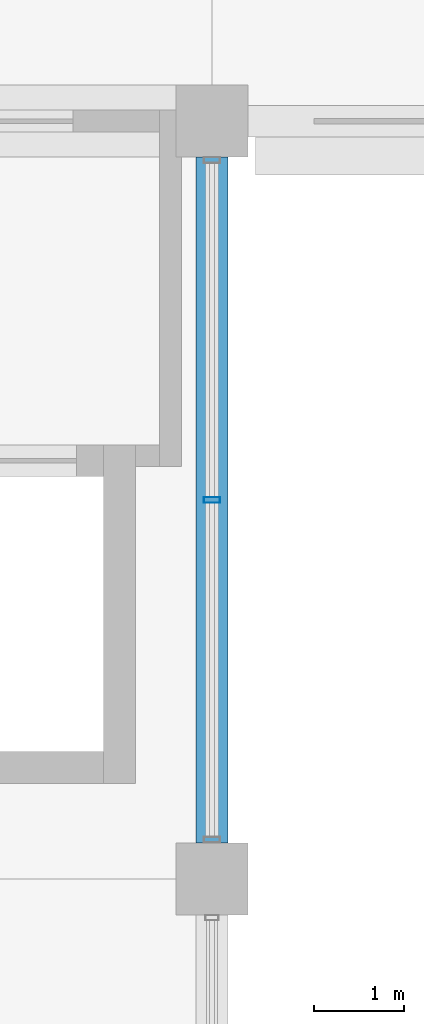
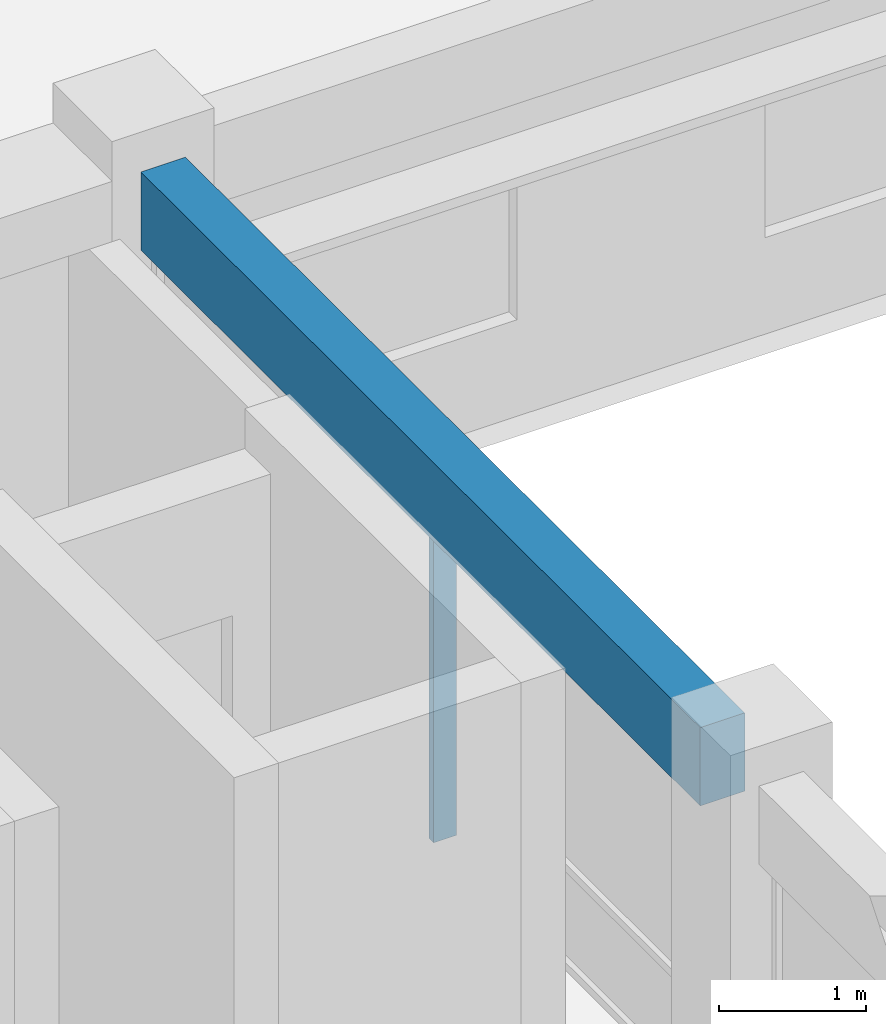
# One storey, part 3 of 50: 1 beam, 1 member, 1 element without a shape of its own.
"""IFC4 building model written with IfcOpenShell, lengths in metres."""

import ifcopenshell
import ifcopenshell.guid

model = None  # the IFC model being written
_history = None  # IfcOwnerHistory: only IFC2X3 demands one
_inside = {}  # id of a spatial element -> (the spatial element, [elements in it])
_under = {}  # id of a project, library or spatial element -> (it, [spatial elements below it])
_declared = {}  # id of a project -> (the project, [libraries it declares])
_typed = {}  # id of a type object -> (the type object, [elements of that type])
_made_of = {}  # id of a material, layer set ... -> (it, [elements and type objects made of it])


def new_model(schema):
    """Start an empty IFC model of exactly this schema.

    Asked for "IFC4X3", IfcOpenShell would pick the latest addendum, in which some entities
    have other attributes; the version numbers below select the first issue.
    IFC2X3 requires an IfcOwnerHistory on every rooted entity: one is made here for all.
    """
    global model, _history
    if schema == "IFC4X3":
        model = ifcopenshell.file(schema_version=(4, 3, 0, 0))
    else:
        model = ifcopenshell.file(schema=schema)
    _inside.clear()
    _under.clear()
    _declared.clear()
    _typed.clear()
    _made_of.clear()
    _history = None
    if model.schema == "IFC2X3":
        org = make("IfcOrganization", Name="unknown")
        user = make(
            "IfcPersonAndOrganization",
            ThePerson=make("IfcPerson", FamilyName="unknown"),
            TheOrganization=org,
        )
        app = make(
            "IfcApplication",
            ApplicationDeveloper=org,
            Version="unknown",
            ApplicationFullName="unknown",
            ApplicationIdentifier="unknown",
        )
        _history = make(
            "IfcOwnerHistory",
            OwningUser=user,
            OwningApplication=app,
            ChangeAction="ADDED",
            CreationDate=0,
        )
    return model


def make(cls, **values):
    """One entity of the class cls with the attributes given. An attribute that is None is left unset."""
    return model.create_entity(
        cls, **{name: value for name, value in values.items() if value is not None}
    )


def rooted(cls, **values):
    """An entity with a GlobalId (a new one), such as an element, a storey or a relation."""
    return make(cls, GlobalId=ifcopenshell.guid.new(), OwnerHistory=_history, **values)


def si_unit(unit_type, name, prefix=None):
    """IfcSIUnit, for example si_unit("LENGTHUNIT", "METRE", prefix="MILLI")."""
    return make("IfcSIUnit", UnitType=unit_type, Prefix=prefix, Name=name)


def assignment(units):
    """IfcUnitAssignment: the units of a project."""
    return None if units is None else make("IfcUnitAssignment", Units=units)


def point(xyz):
    """IfcCartesianPoint."""
    return None if xyz is None else make("IfcCartesianPoint", Coordinates=xyz)


def direction(xyz):
    """IfcDirection."""
    return None if xyz is None else make("IfcDirection", DirectionRatios=xyz)


def frame(location, z_axis=None, x_axis=None):
    """IfcAxis2Placement3D, a coordinate frame: its origin and axes. An axis left out is left unset."""
    return make(
        "IfcAxis2Placement3D",
        Location=point(location),
        Axis=direction(z_axis),
        RefDirection=direction(x_axis),
    )


def frame_2d(location, x_axis=None):
    """IfcAxis2Placement2D, a coordinate frame in the plane: its origin and x axis."""
    return make(
        "IfcAxis2Placement2D", Location=point(location), RefDirection=direction(x_axis)
    )


def origin():
    """The frame at (0, 0, 0) with its axes left unset."""
    return frame((0.0, 0.0, 0.0))


def origin_2d():
    """The frame at (0, 0) in the plane with its x axis left unset."""
    return frame_2d((0.0, 0.0))


def place(relative_to, where):
    """IfcLocalPlacement: puts the frame where relative to a parent placement (None: the world)."""
    return make(
        "IfcLocalPlacement", PlacementRelTo=relative_to, RelativePlacement=where
    )


def context(
    kind, dimensions, precision=None, world=None, true_north=None, identifier=None
):
    """IfcGeometricRepresentationContext, for example the 3D "Model" context."""
    return make(
        "IfcGeometricRepresentationContext",
        ContextIdentifier=identifier,
        ContextType=kind,
        CoordinateSpaceDimension=dimensions,
        Precision=precision,
        WorldCoordinateSystem=world,
        TrueNorth=true_north,
    )


def subcontext(parent, identifier, kind, view, scale=None):
    """IfcGeometricRepresentationSubContext, for example "Body" below "Model"."""
    return make(
        "IfcGeometricRepresentationSubContext",
        ContextIdentifier=identifier,
        ContextType=kind,
        ParentContext=parent,
        TargetScale=scale,
        TargetView=view,
    )


def project(units=None, contexts=None):
    """IfcProject with its units and contexts."""
    return rooted(
        "IfcProject",
        Name="project",
        RepresentationContexts=contexts,
        UnitsInContext=assignment(units),
    )


def spatial(cls, under=None, at=None, **own):
    """A site, building, storey or space (cls), placed at a placement, below another one or the project."""
    s = rooted(cls, ObjectPlacement=at, **own)
    if under is not None:
        _under.setdefault(under.id(), (under, []))[1].append(s)
    return s


def profile(cls, at=None, kind="AREA", **sizes):
    """A parametric profile (cls). Its sizes go by their IFC names, for example OverallWidth=200.0."""
    return make(cls, ProfileType=kind, Position=at, **sizes)


def rectangle(**sizes):
    """IfcRectangleProfileDef."""
    return profile("IfcRectangleProfileDef", **sizes)


def hollow_rectangle(**sizes):
    """IfcRectangleHollowProfileDef."""
    return profile("IfcRectangleHollowProfileDef", **sizes)


def extrude(swept, where, along, depth):
    """IfcExtrudedAreaSolid: the profile swept, set in the frame where, extruded along a direction by depth."""
    return make(
        "IfcExtrudedAreaSolid",
        SweptArea=swept,
        Position=where,
        ExtrudedDirection=direction(along),
        Depth=depth,
    )


def shape(context_of_items, identifier, shape_type, items):
    """IfcShapeRepresentation: the items that make up one representation, for example the "Body"."""
    return make(
        "IfcShapeRepresentation",
        ContextOfItems=context_of_items,
        RepresentationIdentifier=identifier,
        RepresentationType=shape_type,
        Items=items,
    )


def material(Name=None, Category=None):
    """IfcMaterial."""
    return make("IfcMaterial", Name=Name, Category=Category)


def material_profile(
    of_material, cross_section, Name=None, Category=None, Priority=None
):
    """IfcMaterialProfile: a cross section and its material."""
    return make(
        "IfcMaterialProfile",
        Name=Name,
        Material=of_material,
        Profile=cross_section,
        Priority=Priority,
        Category=Category,
    )


def profile_set(profiles, Name=None, composite=None):
    """IfcMaterialProfileSet."""
    return make(
        "IfcMaterialProfileSet",
        Name=Name,
        MaterialProfiles=profiles,
        CompositeProfile=composite,
    )


def made_of(thing, what):
    """Note that an element or type object is made of a material, layer set ...; save() writes the relation."""
    if what is not None:
        _made_of.setdefault(what.id(), (what, []))[1].append(thing)
    return thing


def type_object(cls, material=None, **own):
    """A type object (cls), such as IfcWallType, which elements share."""
    return made_of(rooted(cls, **own), material)


def element(
    cls,
    number,
    at=None,
    inside=None,
    cuts=None,
    type_object=None,
    material=None,
    context=None,
    identifier="Body",
    shape_type=None,
    held_by="IfcProductDefinitionShape",
    body=None,
    shapes=None,
    **own,
):
    """One element of the class cls, such as IfcWall. Its Tag is "e" and its number.

    at: its placement. inside: the storey or other place that contains it. cuts: it is an
    opening in that element (IfcRelVoidsElement). A single representation is given by context,
    identifier, shape_type and body (its items); several are given by shapes. held_by: the class
    of the entity that holds the representations. save() writes the other relations.
    """
    e = rooted(cls, Tag="e%d" % number, ObjectPlacement=at, **own)
    if body is not None:
        shapes = [shape(context, identifier, shape_type, body)]
    if shapes is not None:
        e.Representation = make(held_by, Representations=shapes)
    if inside is not None:
        _inside.setdefault(inside.id(), (inside, []))[1].append(e)
    if cuts is not None:
        rooted(
            "IfcRelVoidsElement", RelatingBuildingElement=cuts, RelatedOpeningElement=e
        )
    if type_object is not None:
        _typed.setdefault(type_object.id(), (type_object, []))[1].append(e)
    return made_of(e, material)


def aggregate(whole, parts):
    """IfcRelAggregates: a whole, such as a stair, and the parts it consists of."""
    return rooted("IfcRelAggregates", RelatingObject=whole, RelatedObjects=parts)


def save(model, path):
    """Write the relations noted so far, then the file.

    IfcRelAggregates (storeys below a building ...), IfcRelContainedInSpatialStructure (elements
    in a storey), IfcRelDefinesByType, IfcRelAssociatesMaterial and IfcRelDeclares: one each for
    every whole, place, type object, material and project.
    """
    for whole, parts in _under.values():
        aggregate(whole, parts)
    for where, things in _inside.values():
        rooted(
            "IfcRelContainedInSpatialStructure",
            RelatedElements=things,
            RelatingStructure=where,
        )
    for kind, things in _typed.values():
        rooted("IfcRelDefinesByType", RelatedObjects=things, RelatingType=kind)
    for what, things in _made_of.values():
        rooted("IfcRelAssociatesMaterial", RelatedObjects=things, RelatingMaterial=what)
    for by, libraries in _declared.values():
        rooted("IfcRelDeclares", RelatingContext=by, RelatedDefinitions=libraries)
    model.write(path)


model = new_model("IFC4")

# Units and contexts
model_context = context("Model", 3, precision=1e-05, world=origin(), true_north=direction((0.0, 1.0)))
body_context = subcontext(model_context, "Body", "Model", "MODEL_VIEW")
ifc_project = project(units=[si_unit("LENGTHUNIT", "METRE"), si_unit("AREAUNIT", "SQUARE_METRE"), si_unit("VOLUMEUNIT", "CUBIC_METRE"), si_unit("PLANEANGLEUNIT", "RADIAN"), si_unit("MASSUNIT", "GRAM", prefix="KILO"), si_unit("THERMODYNAMICTEMPERATUREUNIT", "KELVIN"), si_unit("POWERUNIT", "WATT")], contexts=[model_context])

# Site, building, storey
site_placement = place(None, origin())
site = spatial("IfcSite", under=ifc_project, at=site_placement, CompositionType="ELEMENT")
building_placement = place(site_placement, origin())
building = spatial("IfcBuilding", under=site, at=building_placement, Name="Srebrne Nadtorze General Hospital", CompositionType="ELEMENT")
storey_placement = place(building_placement, frame((0.0, 0.0, 14.39990234375)))
storey = spatial("IfcBuildingStorey", under=building, at=storey_placement, Name="L03", CompositionType="ELEMENT", Elevation=14.39990234375)

# Curtain wall, member
ifc_material_1 = material(Name="Anodised Aluminium", Category="aluminium")
curtain_wall_type = type_object("IfcCurtainWallType", Name="Unitised curtain wall 7600x2620", PredefinedType="NOTDEFINED", material=ifc_material_1)
curtain_wall_placement = place(storey_placement, origin())
curtain_wall = element("IfcCurtainWall", 1, at=curtain_wall_placement, inside=storey, type_object=curtain_wall_type, Name="Curtain wall CW-095", PredefinedType="NOTDEFINED")
ifc_material_2 = material(Name="Anodised Aluminium", Category="aluminium")
ifc_material_profile_1 = material_profile(ifc_material_2, hollow_rectangle(XDim=0.06494140625, YDim=0.179931640625, WallThickness=0.00390625, at=origin_2d()), Name="AL-MUL-65x180")
ifc_profile_set_1 = profile_set([ifc_material_profile_1], Name="Anodised Aluminium")
member_type = type_object("IfcMemberType", Name="Curtain mullion 65x180", PredefinedType="MULLION", material=ifc_profile_set_1)
member_placement = place(storey_placement, frame((54.60009765625, 46.199951171875, 0.0), z_axis=(0.0, 0.0, 1.0), x_axis=(0.0, 1.0, 0.0)))
member = element("IfcMember", 2, at=member_placement, type_object=member_type, Name="CW-095 mullion 2", PredefinedType="MULLION", context=body_context, shape_type="SweptSolid", body=[
    extrude(hollow_rectangle(XDim=0.06494140625, YDim=0.179931640625, WallThickness=0.00390625, at=origin_2d()), origin(), (0.0, 0.0, 1.0), 2.6201171875),
])
aggregate(curtain_wall, [member])

# Beam
ifc_material_3 = material(Name="Concrete C35/45", Category="concrete")
ifc_material_profile_2 = material_profile(ifc_material_3, rectangle(XDim=0.35009765625, YDim=0.64990234375, at=origin_2d()), Name="RC-BM-350x650")
ifc_profile_set_2 = profile_set([ifc_material_profile_2], Name="Concrete C35/45")
beam_type = type_object("IfcBeamType", Name="Edge beam RC 350x650", PredefinedType="BEAM", material=ifc_profile_set_2)
beam_placement = place(storey_placement, frame((54.60009765625, 42.39990234375, 2.945068359375), z_axis=(0.0, 1.0, 0.0), x_axis=(-1.0, 0.0, 0.0)))
element("IfcBeam", 3, at=beam_placement, inside=storey, type_object=beam_type, Name="Beam BM-L03-Y-0814", PredefinedType="BEAM", context=body_context, shape_type="SweptSolid", body=[
    extrude(rectangle(XDim=0.35009765625, YDim=0.64990234375, at=origin_2d()), origin(), (0.0, 0.0, 1.0), 7.60009765625),
])

save(model, "model.ifc")
